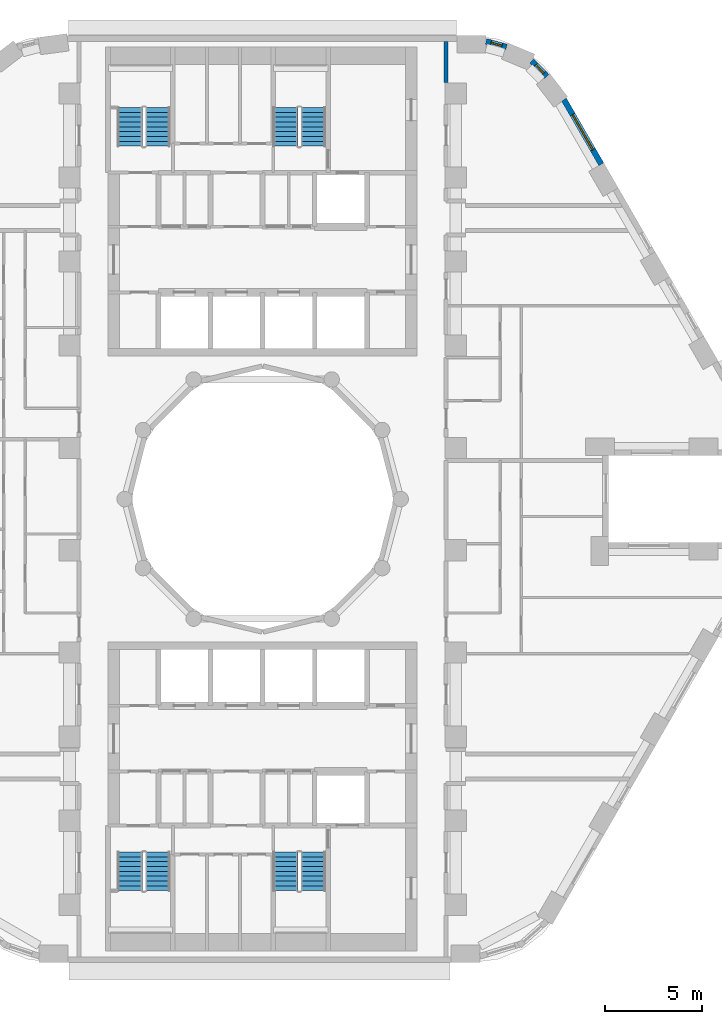
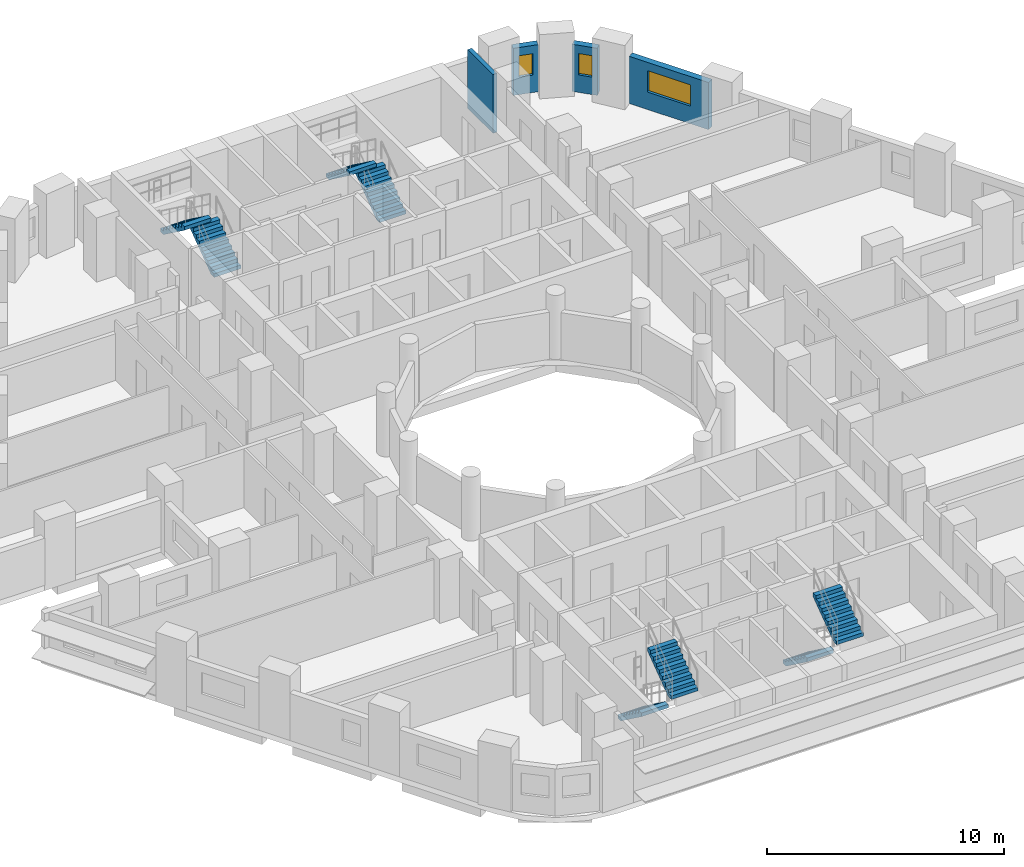
# One storey, part 9 of 13: 8 stair flights, 4 walls, 3 windows, 3 openings, 4 elements without a shape of their own.
"""IFC4 building model written with IfcOpenShell, lengths in metres."""

from ifc_helpers import new_model, si_unit, direction, frame, frame_2d, origin, place, context, subcontext, project, spatial, polyline, rectangle, outline, extrude, material, layer, layer_set, type_object, element, fill, aggregate, save


model = new_model("IFC4")

# Units and contexts
model_context = context("Model", 3, precision=1e-05, world=origin(), true_north=direction((0.0, 1.0)))
body_context = subcontext(model_context, "Body", "Model", "MODEL_VIEW")
ifc_project = project(units=[si_unit("LENGTHUNIT", "METRE"), si_unit("AREAUNIT", "SQUARE_METRE"), si_unit("VOLUMEUNIT", "CUBIC_METRE"), si_unit("PLANEANGLEUNIT", "RADIAN"), si_unit("MASSUNIT", "GRAM", prefix="KILO")], contexts=[model_context])

# Site, building, storey
site_placement = place(None, origin())
site = spatial("IfcSite", under=ifc_project, at=site_placement, CompositionType="ELEMENT")
building_placement = place(site_placement, origin())
building = spatial("IfcBuilding", under=site, at=building_placement, Name="Nakaniwa Court", CompositionType="ELEMENT")
storey_placement = place(building_placement, frame((0.0, 0.0, 41.39990234375)))
storey = spatial("IfcBuildingStorey", under=building, at=storey_placement, Name="L10", CompositionType="ELEMENT", Elevation=41.39990234375)

# Wall
ifc_material_1 = material(Name="Acoustic double stud partition")
ifc_layer_1 = layer(ifc_material_1, 0.199951171875)
ifc_layer_set_1 = layer_set([ifc_layer_1], Name="Acoustic double stud partition")
wall_type_1 = type_object("IfcWallType", Name="Acoustic double stud partition 200", PredefinedType="PARTITIONING", material=ifc_layer_set_1)
wall_1_placement = place(storey_placement, frame((89.5, 101.56689453125, 0.0), z_axis=(0.0, 0.0, 1.0), x_axis=(0.0, 1.0, 0.0)))
element("IfcWall", 1, at=wall_1_placement, inside=storey, type_object=wall_type_1, Name="Partition PW-084", PredefinedType="PARTITIONING", context=body_context, shape_type="SweptSolid", body=[
    extrude(rectangle(XDim=2.133056640625, YDim=0.199951171875, at=frame_2d((1.06640625, 0.0))), origin(), (0.0, 0.0, 1.0), 3.025146484375),
])

# Wall, opening, window
ifc_material_2 = material(Name="Charcoal ceramic cladding")
ifc_layer_2 = layer(ifc_material_2, 0.02, Name="Ceramic cladding")
ifc_material_3 = material(Name="Ventilated air cavity")
ifc_layer_3 = layer(ifc_material_3, 0.04, ventilated=True, Name="Ventilated cavity")
ifc_material_4 = material(Name="Mineral wool insulation")
ifc_layer_4 = layer(ifc_material_4, 0.1, Name="Insulation")
ifc_material_5 = material(Name="Cement bonded sheathing board")
ifc_layer_5 = layer(ifc_material_5, 0.012, Name="Sheathing")
ifc_material_6 = material(Name="Cold-formed galvanised stud frame with mineral wool infill")
ifc_layer_6 = layer(ifc_material_6, 0.1, Name="Stud frame")
ifc_material_7 = material(Name="Fire-rated gypsum plasterboard lining")
ifc_layer_7 = layer(ifc_material_7, 0.028, Name="Lining")
ifc_layer_set_2 = layer_set([ifc_layer_2, ifc_layer_3, ifc_layer_4, ifc_layer_5, ifc_layer_6, ifc_layer_7], Name="Charcoal ceramic faced external wall system")
wall_type_2 = type_object("IfcWallType", Name="Black ceramic faced external wall 300", PredefinedType="SOLIDWALL", material=ifc_layer_set_2)
wall_2_placement = place(storey_placement, frame((97.5322265625, 97.3330078125, 0.0), z_axis=(0.0, 0.0, 1.0), x_axis=(-0.499948341072, 0.866055227026, 0.0)))
wall_2 = element("IfcWall", 2, at=wall_2_placement, inside=storey, type_object=wall_type_2, Name="L10 external wall 05", PredefinedType="SOLIDWALL", context=body_context, shape_type="SweptSolid", body=[
    extrude(rectangle(XDim=3.8671875, YDim=0.300048828125, at=frame_2d((1.93359375, 0.0))), origin(), (0.0, 0.0, 1.0), 2.425048828125),
])
opening_1_placement = place(wall_2_placement, frame((0.872314453125, 0.0, 0.89990234375)))
opening_1 = element("IfcOpeningElement", 3, at=opening_1_placement, cuts=wall_2, Name="Opening W7.07", PredefinedType="OPENING", context=body_context, shape_type="SweptSolid", body=[
    extrude(rectangle(XDim=2.10009765625, YDim=1.10009765625, at=frame_2d((1.050048828125, 0.550048828125))), frame((0.0, 0.159912109375, 0.0), z_axis=(0.0, -1.0, 0.0), x_axis=(1.0, 0.0, 0.0)), (0.0, 0.0, 1.0), 0.320068359375),
])
ifc_material_8 = material(Name="Black anodised aluminium frame with dark low-E laminated double glazing", Category="aluminium")
window_type_1 = type_object("IfcWindowType", Name="Dark glass window 2100x1100 sill 900", PartitioningType="SINGLE_PANEL", PredefinedType="WINDOW", material=ifc_material_8)
window_1_placement = place(opening_1_placement, origin())
window_1 = element("IfcWindow", 4, at=window_1_placement, inside=storey, type_object=window_type_1, Name="L10 habitable room window 05-0", OverallHeight=1.10009765625, OverallWidth=2.10009765625, PartitioningType="SINGLE_PANEL", PredefinedType="WINDOW", context=body_context, shape_type="SweptSolid", body=[
    extrude(rectangle(XDim=2.10009765625, YDim=1.10009765625, at=frame_2d((1.050048828125, 0.550048828125))), frame((0.0, 0.030029296875, 0.0), z_axis=(0.0, -1.0, 0.0), x_axis=(1.0, 0.0, 0.0)), (0.0, 0.0, 1.0), 0.06005859375),
])
fill(opening_1, window_1)

wall_3_placement = place(storey_placement, frame((94.712646484375, 101.8828125, 0.0), z_axis=(0.0, 0.0, 1.0), x_axis=(-0.696138968055, 0.717907053285, 0.0)))
wall_3 = element("IfcWall", 5, at=wall_3_placement, inside=storey, type_object=wall_type_2, Name="L10 external wall 06", PredefinedType="SOLIDWALL", context=body_context, shape_type="SweptSolid", body=[
    extrude(rectangle(XDim=1.1103515625, YDim=0.300048828125, at=frame_2d((0.55517578125, 0.0))), origin(), (0.0, 0.0, 1.0), 2.425048828125),
])
opening_2_placement = place(wall_3_placement, frame((0.230712890625, 0.0, 0.89990234375)))
opening_2 = element("IfcOpeningElement", 6, at=opening_2_placement, cuts=wall_3, Name="Opening W8.08", PredefinedType="OPENING", context=body_context, shape_type="SweptSolid", body=[
    extrude(rectangle(XDim=0.60009765625, YDim=1.10009765625, at=frame_2d((0.300048828125, 0.550048828125))), frame((0.0, 0.159912109375, 0.0), z_axis=(0.0, -1.0, 0.0), x_axis=(1.0, 0.0, 0.0)), (0.0, 0.0, 1.0), 0.320068359375),
])
window_type_2 = type_object("IfcWindowType", Name="Dark glass window 600x1100 sill 900", PartitioningType="SINGLE_PANEL", PredefinedType="WINDOW", material=ifc_material_8)
window_2_placement = place(opening_2_placement, origin())
window_2 = element("IfcWindow", 7, at=window_2_placement, inside=storey, type_object=window_type_2, Name="L10 habitable room window 06-0", OverallHeight=1.10009765625, OverallWidth=0.60009765625, PartitioningType="SINGLE_PANEL", PredefinedType="WINDOW", context=body_context, shape_type="SweptSolid", body=[
    extrude(rectangle(XDim=0.60009765625, YDim=1.10009765625, at=frame_2d((0.300048828125, 0.550048828125))), frame((0.0, 0.030029296875, 0.0), z_axis=(0.0, -1.0, 0.0), x_axis=(1.0, 0.0, 0.0)), (0.0, 0.0, 1.0), 0.06005859375),
])
fill(opening_2, window_2)

wall_4_placement = place(storey_placement, frame((92.62548828125, 103.406982421875, 0.0), z_axis=(0.0, 0.0, 1.0), x_axis=(-0.96522637192, 0.261415475728, 0.0)))
wall_4 = element("IfcWall", 8, at=wall_4_placement, inside=storey, type_object=wall_type_2, Name="L10 external wall 07", PredefinedType="SOLIDWALL", context=body_context, shape_type="SweptSolid", body=[
    extrude(rectangle(XDim=1.0927734375, YDim=0.300048828125, at=frame_2d((0.54638671875, 0.0))), origin(), (0.0, 0.0, 1.0), 2.425048828125),
])
opening_3_placement = place(wall_4_placement, frame((0.236083984375, 0.0, 0.89990234375)))
opening_3 = element("IfcOpeningElement", 9, at=opening_3_placement, cuts=wall_4, Name="Opening W8.09", PredefinedType="OPENING", context=body_context, shape_type="SweptSolid", body=[
    extrude(rectangle(XDim=0.60009765625, YDim=1.10009765625, at=frame_2d((0.300048828125, 0.550048828125))), frame((0.0, 0.159912109375, 0.0), z_axis=(0.0, -1.0, 0.0), x_axis=(1.0, 0.0, 0.0)), (0.0, 0.0, 1.0), 0.320068359375),
])
window_3_placement = place(opening_3_placement, origin())
window_3 = element("IfcWindow", 10, at=window_3_placement, inside=storey, type_object=window_type_2, Name="L10 habitable room window 07-0", OverallHeight=1.10009765625, OverallWidth=0.60009765625, PartitioningType="SINGLE_PANEL", PredefinedType="WINDOW", context=body_context, shape_type="SweptSolid", body=[
    extrude(rectangle(XDim=0.60009765625, YDim=1.10009765625, at=frame_2d((0.300048828125, 0.550048828125))), frame((0.0, 0.030029296875, 0.0), z_axis=(0.0, -1.0, 0.0), x_axis=(1.0, 0.0, 0.0)), (0.0, 0.0, 1.0), 0.06005859375),
])
fill(opening_3, window_3)

# Stair, stair flights
ifc_material_9 = material(Name="Concrete C80/100", Category="concrete")
stair_type = type_object("IfcStairType", Name="Dog leg stair 1300 wide 18 risers", PredefinedType="HALF_TURN_STAIR", material=ifc_material_9)
stair_1_placement = place(storey_placement, origin())
stair_1 = element("IfcStair", 11, at=stair_1_placement, inside=storey, type_object=stair_type, Name="L10 Stair ST1", PredefinedType="HALF_TURN_STAIR")
stair_flight_type = type_object("IfcStairFlightType", Name="Stair flight 1300 wide 9 risers", PredefinedType="STRAIGHT", material=ifc_material_9)
stair_flight_1_placement = place(storey_placement, frame((74.574951171875, 98.27490234375, 0.0), z_axis=(0.0, 0.0, 1.0), x_axis=(0.0, 1.0, 0.0)))
stair_flight_1 = element("IfcStairFlight", 12, at=stair_flight_1_placement, type_object=stair_flight_type, Name="ST1 flight 1", NumberOfRisers=9, NumberOfTreads=8, PredefinedType="STRAIGHT", RiserHeight=0.183333333, TreadLength=0.25, context=body_context, shape_type="SweptSolid", body=[
    extrude(outline(polyline([(0.0, 0.0), (0.0, 0.026123046875), (0.0, 0.052490234375), (0.0, 0.07861328125), (0.0, 0.104736328125), (0.0, 0.130859375), (0.0, 0.1572265625), (0.0, 0.183349609375), (0.25, 0.183349609375), (0.25, 0.36669921875), (0.5, 0.36669921875), (0.5, 0.550048828125), (0.75, 0.550048828125), (0.75, 0.7333984375), (1.0, 0.7333984375), (1.0, 0.916748046875), (1.25, 0.916748046875), (1.25, 1.10009765625), (1.5, 1.10009765625), (1.5, 1.283447265625), (1.75, 1.283447265625), (1.75, 1.466552734375), (2.0, 1.466552734375), (2.0, 1.64990234375), (2.0, 1.59716796875), (2.0, 1.54443359375), (2.0, 1.49169921875), (2.0, 1.43896484375), (2.0, 1.38623046875), (2.0, 1.33349609375), (2.0, 1.28076171875), (0.25341796875, 0.0), (0.0, 0.0)])), frame((0.0, 0.64990234375, 0.0), z_axis=(0.0, -1.0, 0.0), x_axis=(1.0, 0.0, 0.0)), (0.0, 0.0, 1.0), 1.300048828125),
])
stair_flight_2_placement = place(storey_placement, frame((73.125, 100.27490234375, 1.650146484375), z_axis=(0.0, 0.0, 1.0), x_axis=(0.0, -1.0, 0.0)))
stair_flight_2 = element("IfcStairFlight", 13, at=stair_flight_2_placement, type_object=stair_flight_type, Name="ST1 flight 2", NumberOfRisers=9, NumberOfTreads=8, PredefinedType="STRAIGHT", RiserHeight=0.183333333, TreadLength=0.25, context=body_context, shape_type="SweptSolid", body=[
    extrude(outline(polyline([(0.0, 0.0), (0.0, 0.026123046875), (0.0, 0.052490234375), (0.0, 0.07861328125), (0.0, 0.104736328125), (0.0, 0.130859375), (0.0, 0.1572265625), (0.0, 0.183349609375), (0.25, 0.183349609375), (0.25, 0.36669921875), (0.5, 0.36669921875), (0.5, 0.550048828125), (0.75, 0.550048828125), (0.75, 0.7333984375), (1.0, 0.7333984375), (1.0, 0.916748046875), (1.25, 0.916748046875), (1.25, 1.10009765625), (1.5, 1.10009765625), (1.5, 1.283447265625), (1.75, 1.283447265625), (1.75, 1.466552734375), (2.0, 1.466552734375), (2.0, 1.64990234375), (2.0, 1.59716796875), (2.0, 1.54443359375), (2.0, 1.49169921875), (2.0, 1.43896484375), (2.0, 1.38623046875), (2.0, 1.33349609375), (2.0, 1.28076171875), (0.25341796875, 0.0), (0.0, 0.0)])), frame((0.0, 0.64990234375, 0.0), z_axis=(0.0, -1.0, 0.0), x_axis=(1.0, 0.0, 0.0)), (0.0, 0.0, 1.0), 1.300048828125),
])
aggregate(stair_1, [stair_flight_1, stair_flight_2])

stair_2_placement = place(storey_placement, origin())
stair_2 = element("IfcStair", 14, at=stair_2_placement, inside=storey, type_object=stair_type, Name="L10 Stair ST2", PredefinedType="HALF_TURN_STAIR")
stair_flight_3_placement = place(storey_placement, frame((82.625, 98.27490234375, 0.0), z_axis=(0.0, 0.0, 1.0), x_axis=(0.0, 1.0, 0.0)))
stair_flight_3 = element("IfcStairFlight", 15, at=stair_flight_3_placement, type_object=stair_flight_type, Name="ST2 flight 1", NumberOfRisers=9, NumberOfTreads=8, PredefinedType="STRAIGHT", RiserHeight=0.183333333, TreadLength=0.25, context=body_context, shape_type="SweptSolid", body=[
    extrude(outline(polyline([(0.0, 0.0), (0.0, 0.026123046875), (0.0, 0.052490234375), (0.0, 0.07861328125), (0.0, 0.104736328125), (0.0, 0.130859375), (0.0, 0.1572265625), (0.0, 0.183349609375), (0.25, 0.183349609375), (0.25, 0.36669921875), (0.5, 0.36669921875), (0.5, 0.550048828125), (0.75, 0.550048828125), (0.75, 0.7333984375), (1.0, 0.7333984375), (1.0, 0.916748046875), (1.25, 0.916748046875), (1.25, 1.10009765625), (1.5, 1.10009765625), (1.5, 1.283447265625), (1.75, 1.283447265625), (1.75, 1.466552734375), (2.0, 1.466552734375), (2.0, 1.64990234375), (2.0, 1.59716796875), (2.0, 1.54443359375), (2.0, 1.49169921875), (2.0, 1.43896484375), (2.0, 1.38623046875), (2.0, 1.33349609375), (2.0, 1.28076171875), (0.25341796875, 0.0), (0.0, 0.0)])), frame((0.0, 0.64990234375, 0.0), z_axis=(0.0, -1.0, 0.0), x_axis=(1.0, 0.0, 0.0)), (0.0, 0.0, 1.0), 1.300048828125),
])
stair_flight_4_placement = place(storey_placement, frame((81.175048828125, 100.27490234375, 1.650146484375), z_axis=(0.0, 0.0, 1.0), x_axis=(0.0, -1.0, 0.0)))
stair_flight_4 = element("IfcStairFlight", 16, at=stair_flight_4_placement, type_object=stair_flight_type, Name="ST2 flight 2", NumberOfRisers=9, NumberOfTreads=8, PredefinedType="STRAIGHT", RiserHeight=0.183333333, TreadLength=0.25, context=body_context, shape_type="SweptSolid", body=[
    extrude(outline(polyline([(0.0, 0.0), (0.0, 0.026123046875), (0.0, 0.052490234375), (0.0, 0.07861328125), (0.0, 0.104736328125), (0.0, 0.130859375), (0.0, 0.1572265625), (0.0, 0.183349609375), (0.25, 0.183349609375), (0.25, 0.36669921875), (0.5, 0.36669921875), (0.5, 0.550048828125), (0.75, 0.550048828125), (0.75, 0.7333984375), (1.0, 0.7333984375), (1.0, 0.916748046875), (1.25, 0.916748046875), (1.25, 1.10009765625), (1.5, 1.10009765625), (1.5, 1.283447265625), (1.75, 1.283447265625), (1.75, 1.466552734375), (2.0, 1.466552734375), (2.0, 1.64990234375), (2.0, 1.59716796875), (2.0, 1.54443359375), (2.0, 1.49169921875), (2.0, 1.43896484375), (2.0, 1.38623046875), (2.0, 1.33349609375), (2.0, 1.28076171875), (0.25341796875, 0.0), (0.0, 0.0)])), frame((0.0, 0.64990234375, 0.0), z_axis=(0.0, -1.0, 0.0), x_axis=(1.0, 0.0, 0.0)), (0.0, 0.0, 1.0), 1.300048828125),
])
aggregate(stair_2, [stair_flight_3, stair_flight_4])

stair_3_placement = place(storey_placement, origin())
stair_3 = element("IfcStair", 17, at=stair_3_placement, inside=storey, type_object=stair_type, Name="L10 Stair ST3", PredefinedType="HALF_TURN_STAIR")
stair_flight_5_placement = place(storey_placement, frame((73.125, 61.72509765625, 0.0), z_axis=(0.0, 0.0, 1.0), x_axis=(0.0, -1.0, 0.0)))
stair_flight_5 = element("IfcStairFlight", 18, at=stair_flight_5_placement, type_object=stair_flight_type, Name="ST3 flight 1", NumberOfRisers=9, NumberOfTreads=8, PredefinedType="STRAIGHT", RiserHeight=0.183333333, TreadLength=0.25, context=body_context, shape_type="SweptSolid", body=[
    extrude(outline(polyline([(0.0, 0.0), (0.0, 0.026123046875), (0.0, 0.052490234375), (0.0, 0.07861328125), (0.0, 0.104736328125), (0.0, 0.130859375), (0.0, 0.1572265625), (0.0, 0.183349609375), (0.25, 0.183349609375), (0.25, 0.36669921875), (0.5, 0.36669921875), (0.5, 0.550048828125), (0.75, 0.550048828125), (0.75, 0.7333984375), (1.0, 0.7333984375), (1.0, 0.916748046875), (1.25, 0.916748046875), (1.25, 1.10009765625), (1.5, 1.10009765625), (1.5, 1.283447265625), (1.75, 1.283447265625), (1.75, 1.466552734375), (2.0, 1.466552734375), (2.0, 1.64990234375), (2.0, 1.59716796875), (2.0, 1.54443359375), (2.0, 1.49169921875), (2.0, 1.43896484375), (2.0, 1.38623046875), (2.0, 1.33349609375), (2.0, 1.28076171875), (0.25341796875, 0.0), (0.0, 0.0)])), frame((0.0, 0.64990234375, 0.0), z_axis=(0.0, -1.0, 0.0), x_axis=(1.0, 0.0, 0.0)), (0.0, 0.0, 1.0), 1.300048828125),
])
stair_flight_6_placement = place(storey_placement, frame((74.574951171875, 59.72509765625, 1.650146484375), z_axis=(0.0, 0.0, 1.0), x_axis=(0.0, 1.0, 0.0)))
stair_flight_6 = element("IfcStairFlight", 19, at=stair_flight_6_placement, type_object=stair_flight_type, Name="ST3 flight 2", NumberOfRisers=9, NumberOfTreads=8, PredefinedType="STRAIGHT", RiserHeight=0.183333333, TreadLength=0.25, context=body_context, shape_type="SweptSolid", body=[
    extrude(outline(polyline([(0.0, 0.0), (0.0, 0.026123046875), (0.0, 0.052490234375), (0.0, 0.07861328125), (0.0, 0.104736328125), (0.0, 0.130859375), (0.0, 0.1572265625), (0.0, 0.183349609375), (0.25, 0.183349609375), (0.25, 0.36669921875), (0.5, 0.36669921875), (0.5, 0.550048828125), (0.75, 0.550048828125), (0.75, 0.7333984375), (1.0, 0.7333984375), (1.0, 0.916748046875), (1.25, 0.916748046875), (1.25, 1.10009765625), (1.5, 1.10009765625), (1.5, 1.283447265625), (1.75, 1.283447265625), (1.75, 1.466552734375), (2.0, 1.466552734375), (2.0, 1.64990234375), (2.0, 1.59716796875), (2.0, 1.54443359375), (2.0, 1.49169921875), (2.0, 1.43896484375), (2.0, 1.38623046875), (2.0, 1.33349609375), (2.0, 1.28076171875), (0.25341796875, 0.0), (0.0, 0.0)])), frame((0.0, 0.64990234375, 0.0), z_axis=(0.0, -1.0, 0.0), x_axis=(1.0, 0.0, 0.0)), (0.0, 0.0, 1.0), 1.300048828125),
])
aggregate(stair_3, [stair_flight_5, stair_flight_6])

stair_4_placement = place(storey_placement, origin())
stair_4 = element("IfcStair", 20, at=stair_4_placement, inside=storey, type_object=stair_type, Name="L10 Stair ST4", PredefinedType="HALF_TURN_STAIR")
stair_flight_7_placement = place(storey_placement, frame((81.175048828125, 61.72509765625, 0.0), z_axis=(0.0, 0.0, 1.0), x_axis=(0.0, -1.0, 0.0)))
stair_flight_7 = element("IfcStairFlight", 21, at=stair_flight_7_placement, type_object=stair_flight_type, Name="ST4 flight 1", NumberOfRisers=9, NumberOfTreads=8, PredefinedType="STRAIGHT", RiserHeight=0.183333333, TreadLength=0.25, context=body_context, shape_type="SweptSolid", body=[
    extrude(outline(polyline([(0.0, 0.0), (0.0, 0.026123046875), (0.0, 0.052490234375), (0.0, 0.07861328125), (0.0, 0.104736328125), (0.0, 0.130859375), (0.0, 0.1572265625), (0.0, 0.183349609375), (0.25, 0.183349609375), (0.25, 0.36669921875), (0.5, 0.36669921875), (0.5, 0.550048828125), (0.75, 0.550048828125), (0.75, 0.7333984375), (1.0, 0.7333984375), (1.0, 0.916748046875), (1.25, 0.916748046875), (1.25, 1.10009765625), (1.5, 1.10009765625), (1.5, 1.283447265625), (1.75, 1.283447265625), (1.75, 1.466552734375), (2.0, 1.466552734375), (2.0, 1.64990234375), (2.0, 1.59716796875), (2.0, 1.54443359375), (2.0, 1.49169921875), (2.0, 1.43896484375), (2.0, 1.38623046875), (2.0, 1.33349609375), (2.0, 1.28076171875), (0.25341796875, 0.0), (0.0, 0.0)])), frame((0.0, 0.64990234375, 0.0), z_axis=(0.0, -1.0, 0.0), x_axis=(1.0, 0.0, 0.0)), (0.0, 0.0, 1.0), 1.300048828125),
])
stair_flight_8_placement = place(storey_placement, frame((82.625, 59.72509765625, 1.650146484375), z_axis=(0.0, 0.0, 1.0), x_axis=(0.0, 1.0, 0.0)))
stair_flight_8 = element("IfcStairFlight", 22, at=stair_flight_8_placement, type_object=stair_flight_type, Name="ST4 flight 2", NumberOfRisers=9, NumberOfTreads=8, PredefinedType="STRAIGHT", RiserHeight=0.183333333, TreadLength=0.25, context=body_context, shape_type="SweptSolid", body=[
    extrude(outline(polyline([(0.0, 0.0), (0.0, 0.026123046875), (0.0, 0.052490234375), (0.0, 0.07861328125), (0.0, 0.104736328125), (0.0, 0.130859375), (0.0, 0.1572265625), (0.0, 0.183349609375), (0.25, 0.183349609375), (0.25, 0.36669921875), (0.5, 0.36669921875), (0.5, 0.550048828125), (0.75, 0.550048828125), (0.75, 0.7333984375), (1.0, 0.7333984375), (1.0, 0.916748046875), (1.25, 0.916748046875), (1.25, 1.10009765625), (1.5, 1.10009765625), (1.5, 1.283447265625), (1.75, 1.283447265625), (1.75, 1.466552734375), (2.0, 1.466552734375), (2.0, 1.64990234375), (2.0, 1.59716796875), (2.0, 1.54443359375), (2.0, 1.49169921875), (2.0, 1.43896484375), (2.0, 1.38623046875), (2.0, 1.33349609375), (2.0, 1.28076171875), (0.25341796875, 0.0), (0.0, 0.0)])), frame((0.0, 0.64990234375, 0.0), z_axis=(0.0, -1.0, 0.0), x_axis=(1.0, 0.0, 0.0)), (0.0, 0.0, 1.0), 1.300048828125),
])
aggregate(stair_4, [stair_flight_7, stair_flight_8])

save(model, "model.ifc")
